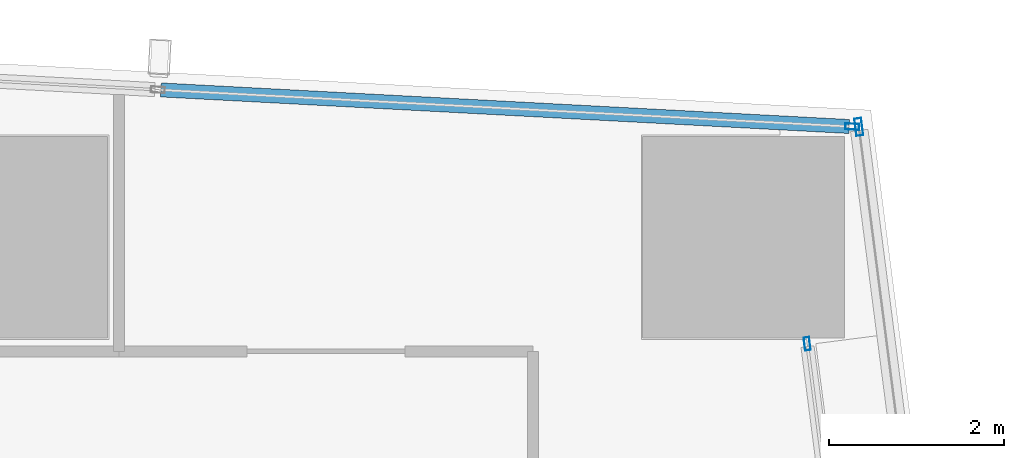
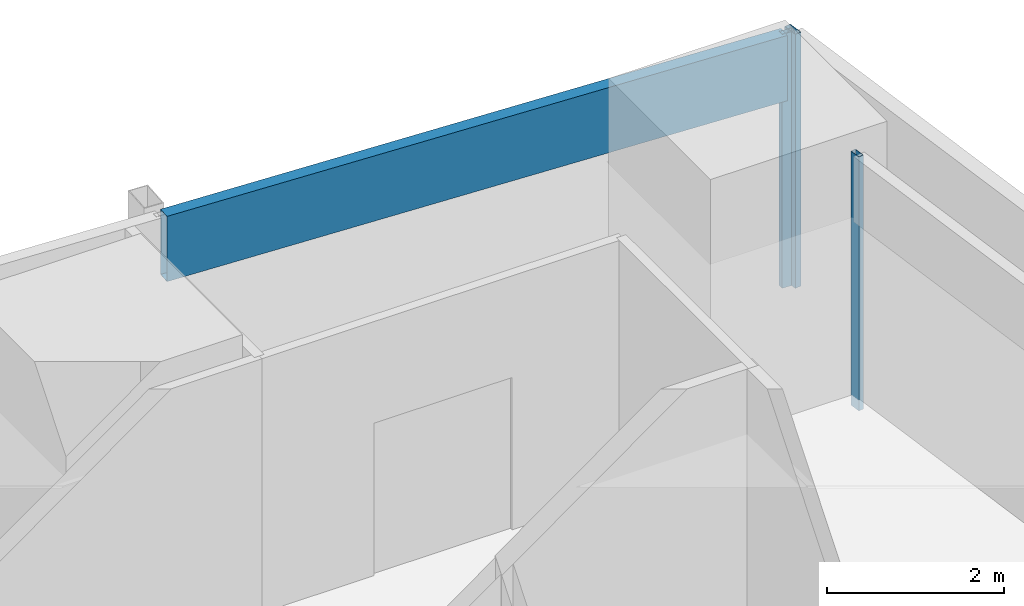
# One storey, part 19 of 32: 4 members, 3 elements without a shape of their own.
"""IFC4 building model written with IfcOpenShell, lengths in metres."""

from ifc_helpers import new_model, si_unit, direction, frame, origin, origin_2d, place, context, subcontext, project, spatial, hollow_rectangle, extrude, material, material_profile, profile_set, type_object, element, aggregate, save


model = new_model("IFC4")

# Units and contexts
model_context = context("Model", 3, precision=1e-05, world=origin(), true_north=direction((0.0, 1.0)))
body_context = subcontext(model_context, "Body", "Model", "MODEL_VIEW")
ifc_project = project(units=[si_unit("LENGTHUNIT", "METRE"), si_unit("AREAUNIT", "SQUARE_METRE"), si_unit("VOLUMEUNIT", "CUBIC_METRE"), si_unit("PLANEANGLEUNIT", "RADIAN"), si_unit("MASSUNIT", "GRAM", prefix="KILO")], contexts=[model_context])

# Site, building, storey
site_placement = place(None, origin())
site = spatial("IfcSite", under=ifc_project, at=site_placement, CompositionType="ELEMENT")
building_placement = place(site_placement, origin())
building = spatial("IfcBuilding", under=site, at=building_placement, Name="Rekha Terrace Tower", CompositionType="ELEMENT")
storey_placement = place(building_placement, frame((0.0, 0.0, 250.10009765625)))
storey = spatial("IfcBuildingStorey", under=building, at=storey_placement, Name="L63", CompositionType="ELEMENT", Elevation=250.10009765625)

# Curtain wall, member
ifc_material_1 = material(Name="Aluminium framing", Category="aluminium")
curtain_wall_type_1 = type_object("IfcCurtainWallType", Name="CW1 double skin inner glazing", PredefinedType="USERDEFINED", material=ifc_material_1)
curtain_wall_1_placement = place(storey_placement, origin())
curtain_wall_1 = element("IfcCurtainWall", 1, at=curtain_wall_1_placement, inside=storey, type_object=curtain_wall_type_1, Name="CW1 double skin inner glazing", ObjectType="DOUBLE SKIN INNER GLAZING", PredefinedType="USERDEFINED")
ifc_material_2 = material(Name="Aluminium mullion section", Category="aluminium")
ifc_material_profile_1 = material_profile(ifc_material_2, hollow_rectangle(XDim=0.06494140625, YDim=0.14990234375, WallThickness=0.00390625, at=origin_2d()), Name="AL RHS 65x150")
ifc_profile_set_1 = profile_set([ifc_material_profile_1], Name="Aluminium mullion section")
member_type_1 = type_object("IfcMemberType", Name="CW1 mullion RHS 65 x 150", PredefinedType="MULLION", material=ifc_profile_set_1)
member_1_placement = place(storey_placement, frame((59.524658203125, 49.185791015625, 0.0), z_axis=(0.0, 0.0, 1.0), x_axis=(-0.991790949461, -0.127869904852, 0.0)))
member_1 = element("IfcMember", 2, at=member_1_placement, type_object=member_type_1, Name="CW1 mullion 2", PredefinedType="MULLION", context=body_context, shape_type="SweptSolid", body=[
    extrude(hollow_rectangle(XDim=0.06494140625, YDim=0.14990234375, WallThickness=0.00390625, at=origin_2d()), origin(), (0.0, 0.0, 1.0), 3.5),
])
aggregate(curtain_wall_1, [member_1])

curtain_wall_type_2 = type_object("IfcCurtainWallType", Name="CW2 double skin outer glazing", PredefinedType="USERDEFINED", material=ifc_material_1)
curtain_wall_2_placement = place(storey_placement, origin())
curtain_wall_2 = element("IfcCurtainWall", 3, at=curtain_wall_2_placement, inside=storey, type_object=curtain_wall_type_2, Name="CW2 double skin outer glazing", ObjectType="DOUBLE SKIN OUTER GLAZING", PredefinedType="USERDEFINED")
ifc_material_profile_2 = material_profile(ifc_material_2, hollow_rectangle(XDim=0.080078125, YDim=0.199951171875, WallThickness=0.00390625, at=origin_2d()), Name="AL RHS 80x200")
ifc_profile_set_2 = profile_set([ifc_material_profile_2], Name="Aluminium mullion section")
member_type_2 = type_object("IfcMemberType", Name="CW2 mullion RHS 80 x 200", PredefinedType="MULLION", material=ifc_profile_set_2)
member_2_placement = place(storey_placement, frame((60.113525390625, 51.65771484375, 0.0), z_axis=(0.0, 0.0, 1.0), x_axis=(-0.991790949459, -0.12786990487, 0.0)))
member_2 = element("IfcMember", 4, at=member_2_placement, type_object=member_type_2, Name="CW2 mullion 2", PredefinedType="MULLION", context=body_context, shape_type="SweptSolid", body=[
    extrude(hollow_rectangle(XDim=0.080078125, YDim=0.199951171875, WallThickness=0.00390625, at=origin_2d()), origin(), (0.0, 0.0, 1.0), 3.5),
])
aggregate(curtain_wall_2, [member_2])

# Curtain wall, members
curtain_wall_type_3 = type_object("IfcCurtainWallType", Name="CW3 north unitised glazing", PredefinedType="USERDEFINED", material=ifc_material_1)
curtain_wall_3_placement = place(storey_placement, origin())
curtain_wall_3 = element("IfcCurtainWall", 5, at=curtain_wall_3_placement, inside=storey, type_object=curtain_wall_type_3, Name="CW3 unitised curtain wall", ObjectType="UNITISED CURTAIN WALL", PredefinedType="USERDEFINED")
ifc_material_profile_3 = material_profile(ifc_material_2, hollow_rectangle(XDim=0.070068359375, YDim=0.159912109375, WallThickness=0.00390625, at=origin_2d()), Name="AL RHS 70x160")
ifc_profile_set_3 = profile_set([ifc_material_profile_3], Name="Aluminium mullion section")
member_type_3 = type_object("IfcMemberType", Name="CW3 mullion RHS 70 x 160", PredefinedType="MULLION", material=ifc_profile_set_3)
member_3_placement = place(storey_placement, frame((60.0380859375, 51.660888671875, 0.0), z_axis=(0.0, 0.0, 1.0), x_axis=(-0.053083275524, -0.998590089005, 0.0)))
member_3 = element("IfcMember", 6, at=member_3_placement, type_object=member_type_3, Name="CW3 mullion 1", PredefinedType="MULLION", context=body_context, shape_type="SweptSolid", body=[
    extrude(hollow_rectangle(XDim=0.070068359375, YDim=0.159912109375, WallThickness=0.00390625, at=origin_2d()), origin(), (0.0, 0.0, 1.0), 3.5),
])
ifc_material_3 = material(Name="Insulated aluminium spandrel box", Category="aluminium")
ifc_material_profile_4 = material_profile(ifc_material_3, hollow_rectangle(XDim=0.159912109375, YDim=0.89990234375, WallThickness=0.0029296875, at=origin_2d()), Name="AL SPANDREL BOX 160x900")
ifc_profile_set_4 = profile_set([ifc_material_profile_4], Name="Insulated aluminium spandrel box")
member_type_4 = type_object("IfcMemberType", Name="CW3 spandrel transom 160 x 900", PredefinedType="USERDEFINED", material=ifc_profile_set_4)
member_4_placement = place(storey_placement, frame((60.003173828125, 51.662841796875, 3.0498046875), z_axis=(-0.99859048353, 0.053075853302, 0.0), x_axis=(-0.053075853302, -0.99859048353, 0.0)))
member_4 = element("IfcMember", 7, at=member_4_placement, type_object=member_type_4, Name="CW3 spandrel transom 1", ObjectType="TRANSOM", PredefinedType="USERDEFINED", context=body_context, shape_type="SweptSolid", body=[
    extrude(hollow_rectangle(XDim=0.159912109375, YDim=0.89990234375, WallThickness=0.0029296875, at=origin_2d()), origin(), (0.0, 0.0, 1.0), 7.8564453125),
])
aggregate(curtain_wall_3, [member_3, member_4])

save(model, "model.ifc")
